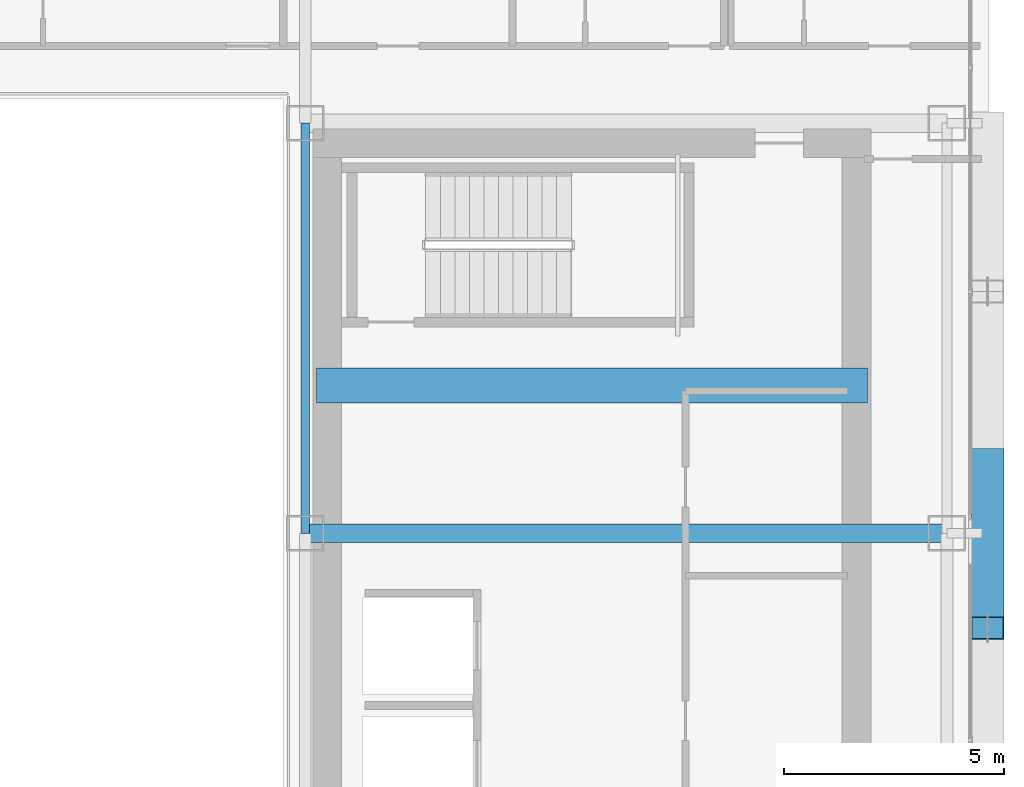
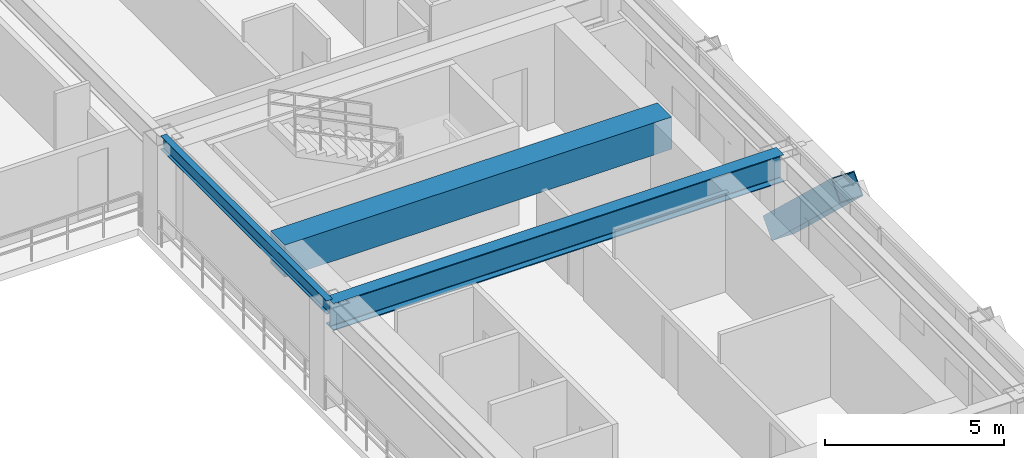
# One storey, part 14 of 35: 3 beams, 1 member.
"""IFC4 building model written with IfcOpenShell, lengths in metres."""

import ifcopenshell
import ifcopenshell.guid

model = None  # the IFC model being written
_history = None  # IfcOwnerHistory: only IFC2X3 demands one
_inside = {}  # id of a spatial element -> (the spatial element, [elements in it])
_under = {}  # id of a project, library or spatial element -> (it, [spatial elements below it])
_declared = {}  # id of a project -> (the project, [libraries it declares])
_typed = {}  # id of a type object -> (the type object, [elements of that type])
_made_of = {}  # id of a material, layer set ... -> (it, [elements and type objects made of it])


def new_model(schema):
    """Start an empty IFC model of exactly this schema.

    Asked for "IFC4X3", IfcOpenShell would pick the latest addendum, in which some entities
    have other attributes; the version numbers below select the first issue.
    IFC2X3 requires an IfcOwnerHistory on every rooted entity: one is made here for all.
    """
    global model, _history
    if schema == "IFC4X3":
        model = ifcopenshell.file(schema_version=(4, 3, 0, 0))
    else:
        model = ifcopenshell.file(schema=schema)
    _inside.clear()
    _under.clear()
    _declared.clear()
    _typed.clear()
    _made_of.clear()
    _history = None
    if model.schema == "IFC2X3":
        org = make("IfcOrganization", Name="unknown")
        user = make(
            "IfcPersonAndOrganization",
            ThePerson=make("IfcPerson", FamilyName="unknown"),
            TheOrganization=org,
        )
        app = make(
            "IfcApplication",
            ApplicationDeveloper=org,
            Version="unknown",
            ApplicationFullName="unknown",
            ApplicationIdentifier="unknown",
        )
        _history = make(
            "IfcOwnerHistory",
            OwningUser=user,
            OwningApplication=app,
            ChangeAction="ADDED",
            CreationDate=0,
        )
    return model


def make(cls, **values):
    """One entity of the class cls with the attributes given. An attribute that is None is left unset."""
    return model.create_entity(
        cls, **{name: value for name, value in values.items() if value is not None}
    )


def rooted(cls, **values):
    """An entity with a GlobalId (a new one), such as an element, a storey or a relation."""
    return make(cls, GlobalId=ifcopenshell.guid.new(), OwnerHistory=_history, **values)


def si_unit(unit_type, name, prefix=None):
    """IfcSIUnit, for example si_unit("LENGTHUNIT", "METRE", prefix="MILLI")."""
    return make("IfcSIUnit", UnitType=unit_type, Prefix=prefix, Name=name)


def assignment(units):
    """IfcUnitAssignment: the units of a project."""
    return None if units is None else make("IfcUnitAssignment", Units=units)


def point(xyz):
    """IfcCartesianPoint."""
    return None if xyz is None else make("IfcCartesianPoint", Coordinates=xyz)


def direction(xyz):
    """IfcDirection."""
    return None if xyz is None else make("IfcDirection", DirectionRatios=xyz)


def frame(location, z_axis=None, x_axis=None):
    """IfcAxis2Placement3D, a coordinate frame: its origin and axes. An axis left out is left unset."""
    return make(
        "IfcAxis2Placement3D",
        Location=point(location),
        Axis=direction(z_axis),
        RefDirection=direction(x_axis),
    )


def frame_2d(location, x_axis=None):
    """IfcAxis2Placement2D, a coordinate frame in the plane: its origin and x axis."""
    return make(
        "IfcAxis2Placement2D", Location=point(location), RefDirection=direction(x_axis)
    )


def origin():
    """The frame at (0, 0, 0) with its axes left unset."""
    return frame((0.0, 0.0, 0.0))


def origin_2d():
    """The frame at (0, 0) in the plane with its x axis left unset."""
    return frame_2d((0.0, 0.0))


def place(relative_to, where):
    """IfcLocalPlacement: puts the frame where relative to a parent placement (None: the world)."""
    return make(
        "IfcLocalPlacement", PlacementRelTo=relative_to, RelativePlacement=where
    )


def context(
    kind, dimensions, precision=None, world=None, true_north=None, identifier=None
):
    """IfcGeometricRepresentationContext, for example the 3D "Model" context."""
    return make(
        "IfcGeometricRepresentationContext",
        ContextIdentifier=identifier,
        ContextType=kind,
        CoordinateSpaceDimension=dimensions,
        Precision=precision,
        WorldCoordinateSystem=world,
        TrueNorth=true_north,
    )


def subcontext(parent, identifier, kind, view, scale=None):
    """IfcGeometricRepresentationSubContext, for example "Body" below "Model"."""
    return make(
        "IfcGeometricRepresentationSubContext",
        ContextIdentifier=identifier,
        ContextType=kind,
        ParentContext=parent,
        TargetScale=scale,
        TargetView=view,
    )


def project(units=None, contexts=None):
    """IfcProject with its units and contexts."""
    return rooted(
        "IfcProject",
        Name="project",
        RepresentationContexts=contexts,
        UnitsInContext=assignment(units),
    )


def spatial(cls, under=None, at=None, **own):
    """A site, building, storey or space (cls), placed at a placement, below another one or the project."""
    s = rooted(cls, ObjectPlacement=at, **own)
    if under is not None:
        _under.setdefault(under.id(), (under, []))[1].append(s)
    return s


def profile(cls, at=None, kind="AREA", **sizes):
    """A parametric profile (cls). Its sizes go by their IFC names, for example OverallWidth=200.0."""
    return make(cls, ProfileType=kind, Position=at, **sizes)


def rectangle(**sizes):
    """IfcRectangleProfileDef."""
    return profile("IfcRectangleProfileDef", **sizes)


def hollow_rectangle(**sizes):
    """IfcRectangleHollowProfileDef."""
    return profile("IfcRectangleHollowProfileDef", **sizes)


def i_section(**sizes):
    """IfcIShapeProfileDef."""
    return profile("IfcIShapeProfileDef", **sizes)


def extrude(swept, where, along, depth):
    """IfcExtrudedAreaSolid: the profile swept, set in the frame where, extruded along a direction by depth."""
    return make(
        "IfcExtrudedAreaSolid",
        SweptArea=swept,
        Position=where,
        ExtrudedDirection=direction(along),
        Depth=depth,
    )


def shape(context_of_items, identifier, shape_type, items):
    """IfcShapeRepresentation: the items that make up one representation, for example the "Body"."""
    return make(
        "IfcShapeRepresentation",
        ContextOfItems=context_of_items,
        RepresentationIdentifier=identifier,
        RepresentationType=shape_type,
        Items=items,
    )


def source(mapping_origin, context_of_items, identifier, shape_type, items):
    """IfcRepresentationMap: a shape defined once, which mapped items show again and again."""
    return make(
        "IfcRepresentationMap",
        MappingOrigin=mapping_origin,
        MappedRepresentation=shape(context_of_items, identifier, shape_type, items),
    )


def transform(
    local_origin,
    x_axis=None,
    y_axis=None,
    z_axis=None,
    scale=None,
    scale2=None,
    scale3=None,
    uniform=True,
):
    """IfcCartesianTransformationOperator3D, or its non-uniform kind. x_axis, y_axis, z_axis: its Axis1, 2, 3."""
    if uniform:
        return make(
            "IfcCartesianTransformationOperator3D",
            Axis1=direction(x_axis),
            Axis2=direction(y_axis),
            LocalOrigin=point(local_origin),
            Scale=scale,
            Axis3=direction(z_axis),
        )
    return make(
        "IfcCartesianTransformationOperator3DnonUniform",
        Axis1=direction(x_axis),
        Axis2=direction(y_axis),
        LocalOrigin=point(local_origin),
        Scale=scale,
        Axis3=direction(z_axis),
        Scale2=scale2,
        Scale3=scale3,
    )


def mapped(mapping_source, mapping_target):
    """IfcMappedItem: shows the shape of a source again, moved by a transform."""
    return make(
        "IfcMappedItem", MappingSource=mapping_source, MappingTarget=mapping_target
    )


def material(Name=None, Category=None):
    """IfcMaterial."""
    return make("IfcMaterial", Name=Name, Category=Category)


def material_profile(
    of_material, cross_section, Name=None, Category=None, Priority=None
):
    """IfcMaterialProfile: a cross section and its material."""
    return make(
        "IfcMaterialProfile",
        Name=Name,
        Material=of_material,
        Profile=cross_section,
        Priority=Priority,
        Category=Category,
    )


def profile_set(profiles, Name=None, composite=None):
    """IfcMaterialProfileSet."""
    return make(
        "IfcMaterialProfileSet",
        Name=Name,
        MaterialProfiles=profiles,
        CompositeProfile=composite,
    )


def made_of(thing, what):
    """Note that an element or type object is made of a material, layer set ...; save() writes the relation."""
    if what is not None:
        _made_of.setdefault(what.id(), (what, []))[1].append(thing)
    return thing


def type_object(cls, material=None, **own):
    """A type object (cls), such as IfcWallType, which elements share."""
    return made_of(rooted(cls, **own), material)


def element(
    cls,
    number,
    at=None,
    inside=None,
    cuts=None,
    type_object=None,
    material=None,
    context=None,
    identifier="Body",
    shape_type=None,
    held_by="IfcProductDefinitionShape",
    body=None,
    shapes=None,
    **own,
):
    """One element of the class cls, such as IfcWall. Its Tag is "e" and its number.

    at: its placement. inside: the storey or other place that contains it. cuts: it is an
    opening in that element (IfcRelVoidsElement). A single representation is given by context,
    identifier, shape_type and body (its items); several are given by shapes. held_by: the class
    of the entity that holds the representations. save() writes the other relations.
    """
    e = rooted(cls, Tag="e%d" % number, ObjectPlacement=at, **own)
    if body is not None:
        shapes = [shape(context, identifier, shape_type, body)]
    if shapes is not None:
        e.Representation = make(held_by, Representations=shapes)
    if inside is not None:
        _inside.setdefault(inside.id(), (inside, []))[1].append(e)
    if cuts is not None:
        rooted(
            "IfcRelVoidsElement", RelatingBuildingElement=cuts, RelatedOpeningElement=e
        )
    if type_object is not None:
        _typed.setdefault(type_object.id(), (type_object, []))[1].append(e)
    return made_of(e, material)


def aggregate(whole, parts):
    """IfcRelAggregates: a whole, such as a stair, and the parts it consists of."""
    return rooted("IfcRelAggregates", RelatingObject=whole, RelatedObjects=parts)


def save(model, path):
    """Write the relations noted so far, then the file.

    IfcRelAggregates (storeys below a building ...), IfcRelContainedInSpatialStructure (elements
    in a storey), IfcRelDefinesByType, IfcRelAssociatesMaterial and IfcRelDeclares: one each for
    every whole, place, type object, material and project.
    """
    for whole, parts in _under.values():
        aggregate(whole, parts)
    for where, things in _inside.values():
        rooted(
            "IfcRelContainedInSpatialStructure",
            RelatedElements=things,
            RelatingStructure=where,
        )
    for kind, things in _typed.values():
        rooted("IfcRelDefinesByType", RelatedObjects=things, RelatingType=kind)
    for what, things in _made_of.values():
        rooted("IfcRelAssociatesMaterial", RelatedObjects=things, RelatingMaterial=what)
    for by, libraries in _declared.values():
        rooted("IfcRelDeclares", RelatingContext=by, RelatedDefinitions=libraries)
    model.write(path)


model = new_model("IFC4")

# Units and contexts
model_context = context("Model", 3, precision=1e-05, world=origin(), true_north=direction((0.0, 1.0)))
body_context = subcontext(model_context, "Body", "Model", "MODEL_VIEW")
ifc_project = project(units=[si_unit("LENGTHUNIT", "METRE"), si_unit("AREAUNIT", "SQUARE_METRE"), si_unit("VOLUMEUNIT", "CUBIC_METRE"), si_unit("PLANEANGLEUNIT", "RADIAN"), si_unit("MASSUNIT", "GRAM", prefix="KILO")], contexts=[model_context])

# Site, building, storey
site_placement = place(None, origin())
site = spatial("IfcSite", under=ifc_project, at=site_placement, CompositionType="ELEMENT")
building_placement = place(site_placement, origin())
building = spatial("IfcBuilding", under=site, at=building_placement, Name="Ocotamira Hotel", CompositionType="ELEMENT")
storey_placement = place(building_placement, frame((0.0, 0.0, 140.39990234375)))
storey = spatial("IfcBuildingStorey", under=building, at=storey_placement, Name="L35", CompositionType="ELEMENT", Elevation=140.39990234375)

# Beams
ifc_material_1 = material(Name="Concrete C60/75", Category="concrete")
ifc_material_profile_1 = material_profile(ifc_material_1, rectangle(XDim=0.800048828125, YDim=1.10009765625, at=origin_2d()), Name="RC800X1100")
ifc_profile_set_1 = profile_set([ifc_material_profile_1], Name="Concrete C60/75")
beam_type_1 = type_object("IfcBeamType", Name="BM-LINK-RC800", PredefinedType="LINTEL", material=ifc_profile_set_1)
shared_shape_1 = source(origin(), body_context, "Body", "SweptSolid", [
    extrude(rectangle(XDim=0.800048828125, YDim=1.10009765625, at=origin_2d()), origin(), (0.0, 0.0, 1.0), 12.5),
])
beam_1_placement = place(storey_placement, frame((40.75, 31.5, 2.81005859375), z_axis=(1.0, 0.0, 0.0), x_axis=(0.0, 1.0, 0.0)))
element("IfcBeam", 1, at=beam_1_placement, inside=storey, type_object=beam_type_1, Name="L35 East Core Coupling Beam", PredefinedType="LINTEL", context=body_context, shape_type="MappedRepresentation", body=[
    mapped(shared_shape_1, transform((0.0, 0.0, 0.0), scale=1.0)),
])
ifc_material_2 = material(Name="Steel ASTM A992 Grade 50", Category="steel")
ifc_material_profile_2 = material_profile(ifc_material_2, i_section(OverallWidth=0.41796875, OverallDepth=0.927001953125, WebThickness=0.019287109375, FlangeThickness=0.031982421875, FilletRadius=0.02392578125, at=origin_2d()), Name="W36X231")
ifc_profile_set_2 = profile_set([ifc_material_profile_2], Name="Steel ASTM A992 Grade 50")
beam_type_2 = type_object("IfcBeamType", Name="BM-GIRD-W36X231", PredefinedType="BEAM", material=ifc_profile_set_2)
shared_shape_2 = source(origin(), body_context, "Body", "SweptSolid", [
    extrude(i_section(OverallWidth=0.41796875, OverallDepth=0.927001953125, WebThickness=0.019287109375, FlangeThickness=0.031982421875, FilletRadius=0.02392578125, at=origin_2d()), origin(), (0.0, 0.0, 1.0), 14.550048828125),
])
beam_2_placement = place(storey_placement, frame((40.5, 28.14990234375, 2.896484375), z_axis=(1.0, 0.0, 0.0), x_axis=(0.0, 1.0, 0.0)))
element("IfcBeam", 2, at=beam_2_placement, inside=storey, type_object=beam_type_2, Name="L35 Girder Y28.15 X40.5-55.05", PredefinedType="BEAM", context=body_context, shape_type="MappedRepresentation", body=[
    mapped(shared_shape_2, transform((0.0, 0.0, 0.0), scale=1.0)),
])
ifc_material_profile_3 = material_profile(ifc_material_2, i_section(OverallWidth=0.18994140625, OverallDepth=0.45703125, WebThickness=0.009033203125, FlangeThickness=0.014404296875, FilletRadius=0.010009765625, at=origin_2d()), Name="W18X50")
ifc_profile_set_3 = profile_set([ifc_material_profile_3], Name="Steel ASTM A992 Grade 50")
beam_type_3 = type_object("IfcBeamType", Name="BM-SEC-W18X50", PredefinedType="JOIST", material=ifc_profile_set_3)
shared_shape_3 = source(origin(), body_context, "Body", "SweptSolid", [
    extrude(i_section(OverallWidth=0.18994140625, OverallDepth=0.45703125, WebThickness=0.009033203125, FlangeThickness=0.014404296875, FilletRadius=0.010009765625, at=origin_2d()), origin(), (0.0, 0.0, 1.0), 9.300048828125),
])
beam_3_placement = place(storey_placement, frame((40.5, 28.14990234375, 3.131591796875), z_axis=(0.0, 1.0, 0.0), x_axis=(-1.0, 0.0, 0.0)))
element("IfcBeam", 3, at=beam_3_placement, inside=storey, type_object=beam_type_3, Name="L35 Beam X40.5 Y28.15-37.45", PredefinedType="JOIST", context=body_context, shape_type="MappedRepresentation", body=[
    mapped(shared_shape_3, transform((0.0, 0.0, 0.0), scale=1.0)),
])

# Member
ifc_material_3 = material(Name="Pale-metal coated steel ASTM A913 Grade 65", Category="steel")
ifc_material_profile_4 = material_profile(ifc_material_3, hollow_rectangle(XDim=0.75, YDim=0.75, WallThickness=0.028076171875, at=origin_2d()), Name="BOX750X750X28")
ifc_profile_set_4 = profile_set([ifc_material_profile_4], Name="Pale-metal coated steel ASTM A913 Grade 65")
member_type = type_object("IfcMemberType", Name="MEM-EXO-BOX750", PredefinedType="BRACE", material=ifc_profile_set_4)
shared_shape_4 = source(origin(), body_context, "Body", "SweptSolid", [
    extrude(hollow_rectangle(XDim=0.75, YDim=0.75, WallThickness=0.028076171875, at=origin_2d()), origin(), (0.0, 0.0, 1.0), 5.24658203125),
])
member_placement = place(storey_placement, frame((55.969970703125, 29.816650390625, -0.489990234375), z_axis=(0.0, -0.727442733726, 0.686168397078), x_axis=(1.0, 0.0, 0.0)))
element("IfcMember", 4, at=member_placement, inside=storey, type_object=member_type, Name="L35 Exoskeleton Diagrid E1.2", PredefinedType="BRACE", context=body_context, shape_type="MappedRepresentation", body=[
    mapped(shared_shape_4, transform((0.0, 0.0, 0.0), scale=1.0)),
])

save(model, "model.ifc")
